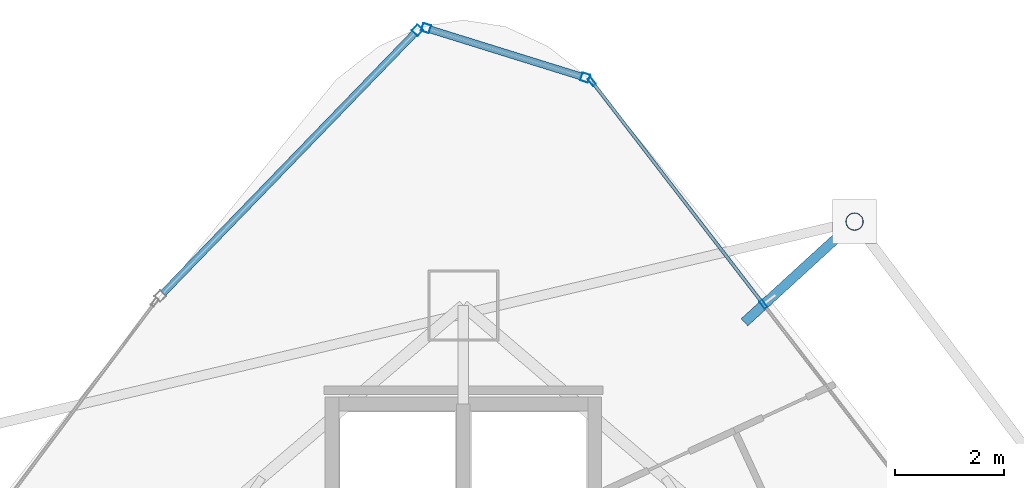
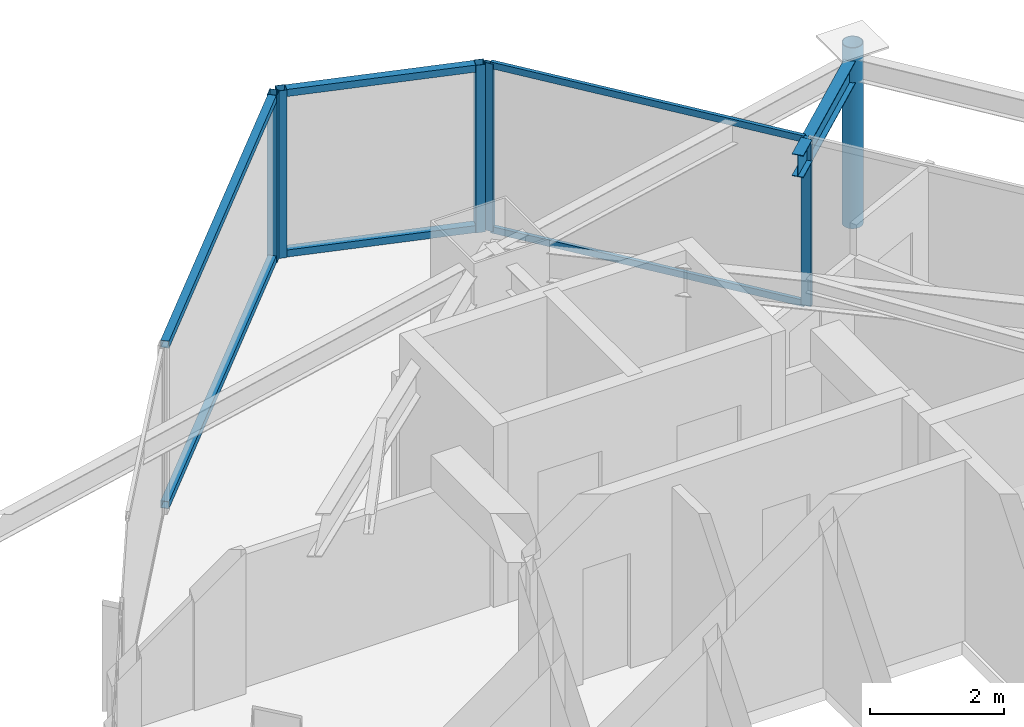
# One storey, part 26 of 34: 12 members, 1 beam, 3 elements without a shape of their own.
"""IFC4 building model written with IfcOpenShell, lengths in metres."""

from ifc_helpers import new_model, si_unit, direction, frame, origin, origin_2d, place, context, subcontext, project, spatial, hollow_rectangle, hollow_circle, i_section, extrude, material, layer, layer_set, material_profile, profile_set, type_object, element, aggregate, save


model = new_model("IFC4")

# Units and contexts
model_context = context("Model", 3, precision=1e-05, world=origin(), true_north=direction((0.0, 1.0)))
body_context = subcontext(model_context, "Body", "Model", "MODEL_VIEW")
ifc_project = project(units=[si_unit("LENGTHUNIT", "METRE"), si_unit("AREAUNIT", "SQUARE_METRE"), si_unit("VOLUMEUNIT", "CUBIC_METRE"), si_unit("PLANEANGLEUNIT", "RADIAN"), si_unit("MASSUNIT", "GRAM", prefix="KILO")], contexts=[model_context])

# Site, building, storey
site_placement = place(None, origin())
site = spatial("IfcSite", under=ifc_project, at=site_placement, CompositionType="ELEMENT")
building_placement = place(site_placement, origin())
building = spatial("IfcBuilding", under=site, at=building_placement, Name="Orvanel Arch Residences", CompositionType="ELEMENT")
storey_placement = place(building_placement, frame((0.0, 0.0, 203.0)))
storey = spatial("IfcBuildingStorey", under=building, at=storey_placement, Name="L57", CompositionType="ELEMENT", Elevation=203.0)

# Curtain wall, members
ifc_material_1 = material(Name="Bronze-anodised aluminium AA6063-T6", Category="aluminium")
ifc_layer_1 = layer(ifc_material_1, 0.18994140625)
ifc_layer_set_1 = layer_set([ifc_layer_1], Name="Bronze-anodised aluminium AA6063-T6")
curtain_wall_type_1 = type_object("IfcCurtainWallType", Name="CW5-CRN-SYS", PredefinedType="NOTDEFINED", material=ifc_layer_set_1)
curtain_wall_1_placement = place(storey_placement, origin())
curtain_wall_1 = element("IfcCurtainWall", 1, at=curtain_wall_1_placement, inside=storey, type_object=curtain_wall_type_1, Name="L57 CW5-CRN-SYS Unitised Curtain Wall", PredefinedType="NOTDEFINED")
ifc_material_profile_1 = material_profile(ifc_material_1, hollow_rectangle(XDim=0.14990234375, YDim=0.14990234375, WallThickness=0.0048828125, at=origin_2d()), Name="ALU150x150x5")
ifc_profile_set_1 = profile_set([ifc_material_profile_1], Name="Bronze-anodised aluminium AA6063-T6")
member_type_1 = type_object("IfcMemberType", Name="MUL-150x150", PredefinedType="MULLION", material=ifc_profile_set_1)
member_1_placement = place(storey_placement, frame((35.225341796875, 45.560302734375, 0.0), z_axis=(0.0, 0.0, 1.0), x_axis=(-0.297098267705, -0.954846908843, 0.0)))
member_1 = element("IfcMember", 2, at=member_1_placement, type_object=member_type_1, Name="CW-S5 mullion 1", PredefinedType="MULLION", context=body_context, shape_type="SweptSolid", body=[
    extrude(hollow_rectangle(XDim=0.14990234375, YDim=0.14990234375, WallThickness=0.0048828125, at=origin_2d()), origin(), (0.0, 0.0, 1.0), 3.06005859375),
])
member_2_placement = place(storey_placement, frame((32.318603515625, 46.464599609375, 0.0), z_axis=(0.0, 0.0, 1.0), x_axis=(-0.297098267705, -0.954846908843, 0.0)))
member_2 = element("IfcMember", 3, at=member_2_placement, type_object=member_type_1, Name="CW-S5 mullion 2", PredefinedType="MULLION", context=body_context, shape_type="SweptSolid", body=[
    extrude(hollow_rectangle(XDim=0.14990234375, YDim=0.14990234375, WallThickness=0.0048828125, at=origin_2d()), origin(), (0.0, 0.0, 1.0), 3.06005859375),
])

# Curtain wall, member
curtain_wall_2_placement = place(storey_placement, origin())
curtain_wall_2 = element("IfcCurtainWall", 4, at=curtain_wall_2_placement, inside=storey, type_object=curtain_wall_type_1, Name="L57 CW5-CRN-SYS Unitised Curtain Wall", PredefinedType="NOTDEFINED")
member_3_placement = place(storey_placement, frame((32.161865234375, 46.425048828125, 0.0), z_axis=(0.0, 0.0, 1.0), x_axis=(0.718665152295, -0.695356310733, 0.0)))
member_3 = element("IfcMember", 5, at=member_3_placement, type_object=member_type_1, Name="CW-S5 mullion 1", PredefinedType="MULLION", context=body_context, shape_type="SweptSolid", body=[
    extrude(hollow_rectangle(XDim=0.14990234375, YDim=0.14990234375, WallThickness=0.0048828125, at=origin_2d()), origin(), (0.0, 0.0, 1.0), 3.06005859375),
])

# Curtain wall, members
ifc_layer_2 = layer(ifc_material_1, 0.175048828125)
ifc_layer_set_2 = layer_set([ifc_layer_2], Name="Bronze-anodised aluminium AA6063-T6")
curtain_wall_type_2 = type_object("IfcCurtainWallType", Name="CW4-HI-SYS", PredefinedType="NOTDEFINED", material=ifc_layer_set_2)
curtain_wall_3_placement = place(storey_placement, origin())
curtain_wall_3 = element("IfcCurtainWall", 6, at=curtain_wall_3_placement, inside=storey, type_object=curtain_wall_type_2, Name="L57 CW4-HI-SYS Unitised Curtain Wall", PredefinedType="NOTDEFINED")
ifc_material_profile_2 = material_profile(ifc_material_1, hollow_rectangle(XDim=0.06494140625, YDim=0.159912109375, WallThickness=0.00390625, at=origin_2d()), Name="ALU160x65x4")
ifc_profile_set_2 = profile_set([ifc_material_profile_2], Name="Bronze-anodised aluminium AA6063-T6")
member_type_2 = type_object("IfcMemberType", Name="MUL-160x65", PredefinedType="MULLION", material=ifc_profile_set_2)
member_4_placement = place(storey_placement, frame((38.48193359375, 41.42041015625, 0.0), z_axis=(0.0, 0.0, 1.0), x_axis=(-0.792297867049, -0.610134485069, 0.0)))
member_4 = element("IfcMember", 7, at=member_4_placement, type_object=member_type_2, Name="CW-S4 mullion 3", PredefinedType="MULLION", context=body_context, shape_type="SweptSolid", body=[
    extrude(hollow_rectangle(XDim=0.06494140625, YDim=0.159912109375, WallThickness=0.00390625, at=origin_2d()), origin(), (0.0, 0.0, 1.0), 3.06005859375),
])
member_5_placement = place(storey_placement, frame((35.347900390625, 45.490234375, 0.0), z_axis=(0.0, 0.0, 1.0), x_axis=(-0.792297867049, -0.610134485069, 0.0)))
member_5 = element("IfcMember", 8, at=member_5_placement, type_object=member_type_2, Name="CW-S4 mullion 4", PredefinedType="MULLION", context=body_context, shape_type="SweptSolid", body=[
    extrude(hollow_rectangle(XDim=0.06494140625, YDim=0.159912109375, WallThickness=0.00390625, at=origin_2d()), origin(), (0.0, 0.0, 1.0), 3.06005859375),
])

# Beam
ifc_material_2 = material(Name="Structural steel AS/NZS 3679.1 Grade 300 (300 MPa)", Category="steel")
ifc_material_profile_3 = material_profile(ifc_material_2, i_section(OverallWidth=0.177978515625, OverallDepth=0.406005859375, WebThickness=0.0078125, FlangeThickness=0.0126953125, at=origin_2d()), Name="410UB59.7")
ifc_profile_set_3 = profile_set([ifc_material_profile_3], Name="Structural steel AS/NZS 3679.1 Grade 300 (300 MPa)")
beam_type = type_object("IfcBeamType", Name="OB-410UB-EXT", PredefinedType="SPANDREL", material=ifc_profile_set_3)
beam_placement = place(storey_placement, frame((38.135986328125, 41.092041015625, 2.85693359375), z_axis=(0.737982917949, 0.674819392739, 0.0), x_axis=(-0.674819392739, 0.737982917949, 0.0)))
element("IfcBeam", 9, at=beam_placement, inside=storey, type_object=beam_type, Name="L57 Outer Frame Radial Tie Beam 12", PredefinedType="SPANDREL", context=body_context, shape_type="SweptSolid", body=[
    extrude(i_section(OverallWidth=0.177978515625, OverallDepth=0.406005859375, WebThickness=0.0078125, FlangeThickness=0.0126953125, at=origin_2d()), origin(), (0.0, 0.0, 1.0), 2.72509765625),
])

# Member
ifc_material_3 = material(Name="Structural steel AS/NZS 1163 C350L0 (Grade 350)", Category="steel")
ifc_material_profile_4 = material_profile(ifc_material_3, hollow_circle(Radius=0.162109375, WallThickness=0.0126953125, at=origin_2d()), Name="CHS324x12.7")
ifc_profile_set_4 = profile_set([ifc_material_profile_4], Name="Structural steel AS/NZS 1163 C350L0 (Grade 350)")
member_type_3 = type_object("IfcMemberType", Name="ST-324CHS-EXT", PredefinedType="STRUT", material=ifc_profile_set_4)
member_6_placement = place(storey_placement, frame((40.14697265625, 42.930908203125, 0.0), z_axis=(0.0, 0.0, 1.0), x_axis=(1.0, 0.0, 0.0)))
element("IfcMember", 10, at=member_6_placement, inside=storey, type_object=member_type_3, Name="L57 Outer Perimeter Frame Post 12", PredefinedType="STRUT", context=body_context, shape_type="SweptSolid", body=[
    extrude(hollow_circle(Radius=0.162109375, WallThickness=0.0126953125, at=origin_2d()), origin(), (0.0, 0.0, 1.0), 3.300048828125),
])

ifc_material_profile_5 = material_profile(ifc_material_1, hollow_rectangle(XDim=0.06005859375, YDim=0.1201171875, WallThickness=0.00341796875, at=origin_2d()), Name="ALU120x60x3.5")
ifc_profile_set_5 = profile_set([ifc_material_profile_5], Name="Bronze-anodised aluminium AA6063-T6")
member_type_4 = type_object("IfcMemberType", Name="TRN-120x60", PredefinedType="USERDEFINED", material=ifc_profile_set_5)
member_7_placement = place(storey_placement, frame((38.462158203125, 41.446044921875, 0.030029296875), z_axis=(-0.610117774553, 0.792310735238, 0.0), x_axis=(-0.792310735238, -0.610117774553, 0.0)))
member_7 = element("IfcMember", 11, at=member_7_placement, type_object=member_type_4, Name="CW-S4 transom 3.1", ObjectType="TRANSOM", PredefinedType="USERDEFINED", context=body_context, shape_type="SweptSolid", body=[
    extrude(hollow_rectangle(XDim=0.06005859375, YDim=0.1201171875, WallThickness=0.00341796875, at=origin_2d()), origin(), (0.0, 0.0, 1.0), 5.072021484375),
])

member_8_placement = place(storey_placement, frame((38.462158203125, 41.446044921875, 3.030029296875), z_axis=(-0.610117774553, 0.792310735238, 0.0), x_axis=(-0.792310735238, -0.610117774553, 0.0)))
member_8 = element("IfcMember", 12, at=member_8_placement, type_object=member_type_4, Name="CW-S4 transom 3.2", ObjectType="TRANSOM", PredefinedType="USERDEFINED", context=body_context, shape_type="SweptSolid", body=[
    extrude(hollow_rectangle(XDim=0.06005859375, YDim=0.1201171875, WallThickness=0.00341796875, at=origin_2d()), origin(), (0.0, 0.0, 1.0), 5.072021484375),
])

aggregate(curtain_wall_3, [member_4, member_5, member_7, member_8])

ifc_material_profile_6 = material_profile(ifc_material_1, hollow_rectangle(XDim=0.1298828125, YDim=0.1298828125, WallThickness=0.00439453125, at=origin_2d()), Name="ALU130x130x4.5")
ifc_profile_set_6 = profile_set([ifc_material_profile_6], Name="Bronze-anodised aluminium AA6063-T6")
member_type_5 = type_object("IfcMemberType", Name="TRN-130x130", PredefinedType="USERDEFINED", material=ifc_profile_set_6)
member_9_placement = place(storey_placement, frame((35.15380859375, 45.58251953125, 0.06494140625), z_axis=(-0.954851459151, 0.297083643033, 0.0), x_axis=(-0.297083643033, -0.954851459151, 0.0)))
member_9 = element("IfcMember", 13, at=member_9_placement, type_object=member_type_5, Name="CW-S5 transom 1.1", ObjectType="TRANSOM", PredefinedType="USERDEFINED", context=body_context, shape_type="SweptSolid", body=[
    extrude(hollow_rectangle(XDim=0.1298828125, YDim=0.1298828125, WallThickness=0.00439453125, at=origin_2d()), origin(), (0.0, 0.0, 1.0), 2.894287109375),
])

member_10_placement = place(storey_placement, frame((35.15380859375, 45.58251953125, 2.9951171875), z_axis=(-0.954851459151, 0.297083643033, 0.0), x_axis=(-0.297083643033, -0.954851459151, 0.0)))
member_10 = element("IfcMember", 14, at=member_10_placement, type_object=member_type_5, Name="CW-S5 transom 1.2", ObjectType="TRANSOM", PredefinedType="USERDEFINED", context=body_context, shape_type="SweptSolid", body=[
    extrude(hollow_rectangle(XDim=0.1298828125, YDim=0.1298828125, WallThickness=0.00439453125, at=origin_2d()), origin(), (0.0, 0.0, 1.0), 2.894287109375),
])

aggregate(curtain_wall_1, [member_1, member_2, member_9, member_10])

member_11_placement = place(storey_placement, frame((32.109619140625, 46.37109375, 0.06494140625), z_axis=(-0.69535248533, -0.718668853607, 0.0), x_axis=(0.718668853607, -0.69535248533, 0.0)))
member_11 = element("IfcMember", 15, at=member_11_placement, type_object=member_type_5, Name="CW-S5 transom 1.1", ObjectType="TRANSOM", PredefinedType="USERDEFINED", context=body_context, shape_type="SweptSolid", body=[
    extrude(hollow_rectangle(XDim=0.1298828125, YDim=0.1298828125, WallThickness=0.00439453125, at=origin_2d()), origin(), (0.0, 0.0, 1.0), 6.607177734375),
])

member_12_placement = place(storey_placement, frame((32.109619140625, 46.37109375, 2.9951171875), z_axis=(-0.69535248533, -0.718668853607, 0.0), x_axis=(0.718668853607, -0.69535248533, 0.0)))
member_12 = element("IfcMember", 16, at=member_12_placement, type_object=member_type_5, Name="CW-S5 transom 1.2", ObjectType="TRANSOM", PredefinedType="USERDEFINED", context=body_context, shape_type="SweptSolid", body=[
    extrude(hollow_rectangle(XDim=0.1298828125, YDim=0.1298828125, WallThickness=0.00439453125, at=origin_2d()), origin(), (0.0, 0.0, 1.0), 6.607177734375),
])

aggregate(curtain_wall_2, [member_3, member_11, member_12])

save(model, "model.ifc")
